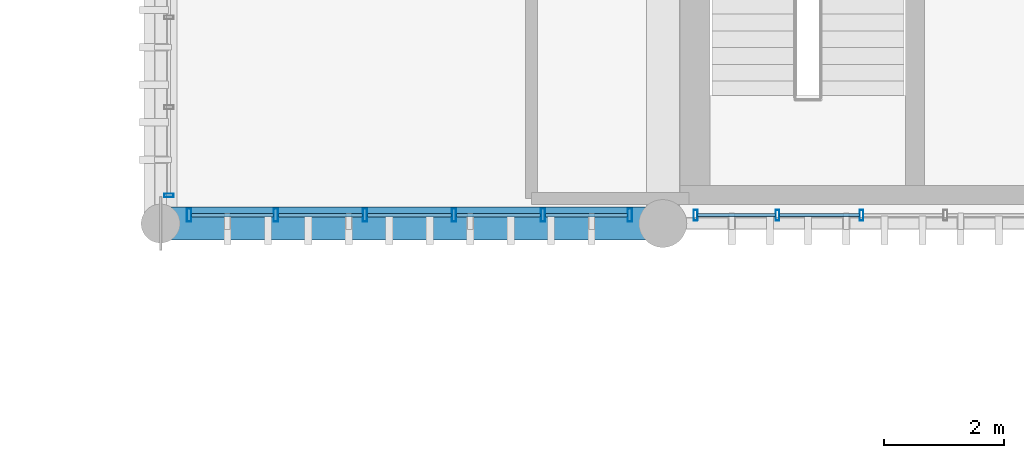
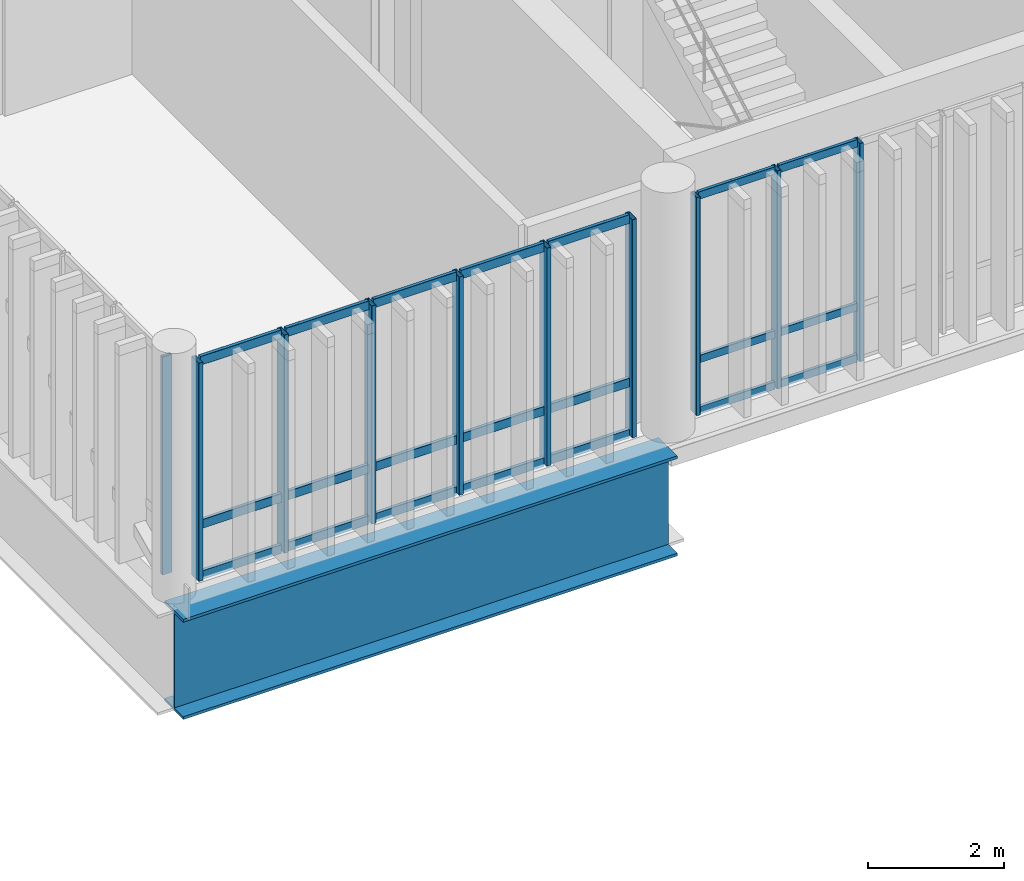
# One storey, part 23 of 53: 31 members, 1 beam, 3 elements without a shape of their own.
"""IFC4 building model written with IfcOpenShell, lengths in metres."""

import ifcopenshell
import ifcopenshell.guid

model = None  # the IFC model being written
_history = None  # IfcOwnerHistory: only IFC2X3 demands one
_inside = {}  # id of a spatial element -> (the spatial element, [elements in it])
_under = {}  # id of a project, library or spatial element -> (it, [spatial elements below it])
_declared = {}  # id of a project -> (the project, [libraries it declares])
_typed = {}  # id of a type object -> (the type object, [elements of that type])
_made_of = {}  # id of a material, layer set ... -> (it, [elements and type objects made of it])


def new_model(schema):
    """Start an empty IFC model of exactly this schema.

    Asked for "IFC4X3", IfcOpenShell would pick the latest addendum, in which some entities
    have other attributes; the version numbers below select the first issue.
    IFC2X3 requires an IfcOwnerHistory on every rooted entity: one is made here for all.
    """
    global model, _history
    if schema == "IFC4X3":
        model = ifcopenshell.file(schema_version=(4, 3, 0, 0))
    else:
        model = ifcopenshell.file(schema=schema)
    _inside.clear()
    _under.clear()
    _declared.clear()
    _typed.clear()
    _made_of.clear()
    _history = None
    if model.schema == "IFC2X3":
        org = make("IfcOrganization", Name="unknown")
        user = make(
            "IfcPersonAndOrganization",
            ThePerson=make("IfcPerson", FamilyName="unknown"),
            TheOrganization=org,
        )
        app = make(
            "IfcApplication",
            ApplicationDeveloper=org,
            Version="unknown",
            ApplicationFullName="unknown",
            ApplicationIdentifier="unknown",
        )
        _history = make(
            "IfcOwnerHistory",
            OwningUser=user,
            OwningApplication=app,
            ChangeAction="ADDED",
            CreationDate=0,
        )
    return model


def make(cls, **values):
    """One entity of the class cls with the attributes given. An attribute that is None is left unset."""
    return model.create_entity(
        cls, **{name: value for name, value in values.items() if value is not None}
    )


def rooted(cls, **values):
    """An entity with a GlobalId (a new one), such as an element, a storey or a relation."""
    return make(cls, GlobalId=ifcopenshell.guid.new(), OwnerHistory=_history, **values)


def si_unit(unit_type, name, prefix=None):
    """IfcSIUnit, for example si_unit("LENGTHUNIT", "METRE", prefix="MILLI")."""
    return make("IfcSIUnit", UnitType=unit_type, Prefix=prefix, Name=name)


def assignment(units):
    """IfcUnitAssignment: the units of a project."""
    return None if units is None else make("IfcUnitAssignment", Units=units)


def point(xyz):
    """IfcCartesianPoint."""
    return None if xyz is None else make("IfcCartesianPoint", Coordinates=xyz)


def direction(xyz):
    """IfcDirection."""
    return None if xyz is None else make("IfcDirection", DirectionRatios=xyz)


def frame(location, z_axis=None, x_axis=None):
    """IfcAxis2Placement3D, a coordinate frame: its origin and axes. An axis left out is left unset."""
    return make(
        "IfcAxis2Placement3D",
        Location=point(location),
        Axis=direction(z_axis),
        RefDirection=direction(x_axis),
    )


def frame_2d(location, x_axis=None):
    """IfcAxis2Placement2D, a coordinate frame in the plane: its origin and x axis."""
    return make(
        "IfcAxis2Placement2D", Location=point(location), RefDirection=direction(x_axis)
    )


def origin_with_axes():
    """The frame at (0, 0, 0) with the z axis (0, 0, 1) and the x axis (1, 0, 0) written out."""
    return frame((0.0, 0.0, 0.0), z_axis=(0.0, 0.0, 1.0), x_axis=(1.0, 0.0, 0.0))


def origin_2d_with_axis():
    """The frame at (0, 0) in the plane with the x axis (1, 0) written out."""
    return frame_2d((0.0, 0.0), x_axis=(1.0, 0.0))


def place(relative_to, where):
    """IfcLocalPlacement: puts the frame where relative to a parent placement (None: the world)."""
    return make(
        "IfcLocalPlacement", PlacementRelTo=relative_to, RelativePlacement=where
    )


def context(
    kind, dimensions, precision=None, world=None, true_north=None, identifier=None
):
    """IfcGeometricRepresentationContext, for example the 3D "Model" context."""
    return make(
        "IfcGeometricRepresentationContext",
        ContextIdentifier=identifier,
        ContextType=kind,
        CoordinateSpaceDimension=dimensions,
        Precision=precision,
        WorldCoordinateSystem=world,
        TrueNorth=true_north,
    )


def subcontext(parent, identifier, kind, view, scale=None):
    """IfcGeometricRepresentationSubContext, for example "Body" below "Model"."""
    return make(
        "IfcGeometricRepresentationSubContext",
        ContextIdentifier=identifier,
        ContextType=kind,
        ParentContext=parent,
        TargetScale=scale,
        TargetView=view,
    )


def project(units=None, contexts=None):
    """IfcProject with its units and contexts."""
    return rooted(
        "IfcProject",
        Name="project",
        RepresentationContexts=contexts,
        UnitsInContext=assignment(units),
    )


def spatial(cls, under=None, at=None, **own):
    """A site, building, storey or space (cls), placed at a placement, below another one or the project."""
    s = rooted(cls, ObjectPlacement=at, **own)
    if under is not None:
        _under.setdefault(under.id(), (under, []))[1].append(s)
    return s


def profile(cls, at=None, kind="AREA", **sizes):
    """A parametric profile (cls). Its sizes go by their IFC names, for example OverallWidth=200.0."""
    return make(cls, ProfileType=kind, Position=at, **sizes)


def hollow_rectangle(**sizes):
    """IfcRectangleHollowProfileDef."""
    return profile("IfcRectangleHollowProfileDef", **sizes)


def i_section(**sizes):
    """IfcIShapeProfileDef."""
    return profile("IfcIShapeProfileDef", **sizes)


def extrude(swept, where, along, depth):
    """IfcExtrudedAreaSolid: the profile swept, set in the frame where, extruded along a direction by depth."""
    return make(
        "IfcExtrudedAreaSolid",
        SweptArea=swept,
        Position=where,
        ExtrudedDirection=direction(along),
        Depth=depth,
    )


def shape(context_of_items, identifier, shape_type, items):
    """IfcShapeRepresentation: the items that make up one representation, for example the "Body"."""
    return make(
        "IfcShapeRepresentation",
        ContextOfItems=context_of_items,
        RepresentationIdentifier=identifier,
        RepresentationType=shape_type,
        Items=items,
    )


def material(Name=None, Category=None):
    """IfcMaterial."""
    return make("IfcMaterial", Name=Name, Category=Category)


def material_profile(
    of_material, cross_section, Name=None, Category=None, Priority=None
):
    """IfcMaterialProfile: a cross section and its material."""
    return make(
        "IfcMaterialProfile",
        Name=Name,
        Material=of_material,
        Profile=cross_section,
        Priority=Priority,
        Category=Category,
    )


def profile_set(profiles, Name=None, composite=None):
    """IfcMaterialProfileSet."""
    return make(
        "IfcMaterialProfileSet",
        Name=Name,
        MaterialProfiles=profiles,
        CompositeProfile=composite,
    )


def made_of(thing, what):
    """Note that an element or type object is made of a material, layer set ...; save() writes the relation."""
    if what is not None:
        _made_of.setdefault(what.id(), (what, []))[1].append(thing)
    return thing


def type_object(cls, material=None, **own):
    """A type object (cls), such as IfcWallType, which elements share."""
    return made_of(rooted(cls, **own), material)


def element(
    cls,
    number,
    at=None,
    inside=None,
    cuts=None,
    type_object=None,
    material=None,
    context=None,
    identifier="Body",
    shape_type=None,
    held_by="IfcProductDefinitionShape",
    body=None,
    shapes=None,
    **own,
):
    """One element of the class cls, such as IfcWall. Its Tag is "e" and its number.

    at: its placement. inside: the storey or other place that contains it. cuts: it is an
    opening in that element (IfcRelVoidsElement). A single representation is given by context,
    identifier, shape_type and body (its items); several are given by shapes. held_by: the class
    of the entity that holds the representations. save() writes the other relations.
    """
    e = rooted(cls, Tag="e%d" % number, ObjectPlacement=at, **own)
    if body is not None:
        shapes = [shape(context, identifier, shape_type, body)]
    if shapes is not None:
        e.Representation = make(held_by, Representations=shapes)
    if inside is not None:
        _inside.setdefault(inside.id(), (inside, []))[1].append(e)
    if cuts is not None:
        rooted(
            "IfcRelVoidsElement", RelatingBuildingElement=cuts, RelatedOpeningElement=e
        )
    if type_object is not None:
        _typed.setdefault(type_object.id(), (type_object, []))[1].append(e)
    return made_of(e, material)


def aggregate(whole, parts):
    """IfcRelAggregates: a whole, such as a stair, and the parts it consists of."""
    return rooted("IfcRelAggregates", RelatingObject=whole, RelatedObjects=parts)


def save(model, path):
    """Write the relations noted so far, then the file.

    IfcRelAggregates (storeys below a building ...), IfcRelContainedInSpatialStructure (elements
    in a storey), IfcRelDefinesByType, IfcRelAssociatesMaterial and IfcRelDeclares: one each for
    every whole, place, type object, material and project.
    """
    for whole, parts in _under.values():
        aggregate(whole, parts)
    for where, things in _inside.values():
        rooted(
            "IfcRelContainedInSpatialStructure",
            RelatedElements=things,
            RelatingStructure=where,
        )
    for kind, things in _typed.values():
        rooted("IfcRelDefinesByType", RelatedObjects=things, RelatingType=kind)
    for what, things in _made_of.values():
        rooted("IfcRelAssociatesMaterial", RelatedObjects=things, RelatingMaterial=what)
    for by, libraries in _declared.values():
        rooted("IfcRelDeclares", RelatingContext=by, RelatedDefinitions=libraries)
    model.write(path)


model = new_model("IFC4")

# Units and contexts
model_context = context("Model", 3, precision=1e-05, world=origin_with_axes(), true_north=direction((0.0, 1.0)))
body_context = subcontext(model_context, "Body", "Model", "MODEL_VIEW")
ifc_project = project(units=[si_unit("LENGTHUNIT", "METRE"), si_unit("AREAUNIT", "SQUARE_METRE"), si_unit("VOLUMEUNIT", "CUBIC_METRE"), si_unit("PLANEANGLEUNIT", "RADIAN"), si_unit("MASSUNIT", "GRAM", prefix="KILO"), si_unit("THERMODYNAMICTEMPERATUREUNIT", "KELVIN")], contexts=[model_context])

# Site, building, storey
site_placement = place(None, origin_with_axes())
site = spatial("IfcSite", under=ifc_project, at=site_placement, CompositionType="ELEMENT")
building_placement = place(site_placement, origin_with_axes())
building = spatial("IfcBuilding", under=site, at=building_placement, Name="Montbau Bow Law Courts", CompositionType="ELEMENT")
storey_placement = place(building_placement, frame((0.0, 0.0, 39.0), z_axis=(0.0, 0.0, 1.0), x_axis=(1.0, 0.0, 0.0)))
storey = spatial("IfcBuildingStorey", under=building, at=storey_placement, Name="L08", CompositionType="ELEMENT", Elevation=39.0)

# Beam
ifc_material_1 = material(Name="Steel CSA G40.21 Grade 350WT (350 MPa)", Category="steel")
ifc_material_profile_1 = material_profile(ifc_material_1, i_section(OverallWidth=0.55, OverallDepth=1.8, WebThickness=0.022, FlangeThickness=0.05, at=origin_2d_with_axis()), Name="WWF1800X550", Category="Main", Priority=0)
ifc_profile_set_1 = profile_set([ifc_material_profile_1], Name="Steel CSA G40.21 Grade 350WT (350 MPa)")
beam_type = type_object("IfcBeamType", Name="B-TRG-01", PredefinedType="USERDEFINED", material=ifc_profile_set_1)
beam_placement = place(None, frame((138.6, 86.4, 37.76), z_axis=(1.0, 0.0, 0.0), x_axis=(0.0, 1.0, 0.0)))
element("IfcBeam", 1, at=beam_placement, inside=storey, type_object=beam_type, Name="TRG-L08-S0110:bm2_0113", ObjectType="GIRDER", PredefinedType="USERDEFINED", context=body_context, shape_type="SweptSolid", body=[
    extrude(i_section(OverallWidth=0.55, OverallDepth=1.8, WebThickness=0.022, FlangeThickness=0.05, at=origin_2d_with_axis()), origin_with_axes(), (0.0, 0.0, 1.0), 8.4),
])

# Curtain wall, members
ifc_material_2 = material(Name="Thermally Broken Extruded Aluminium AA 6063-T6", Category="aluminium")
curtain_wall_type = type_object("IfcCurtainWallType", Name="CW-CRM-03", PredefinedType="NOTDEFINED", material=ifc_material_2)
curtain_wall_1_placement = place(None, frame((139.04, 86.54, 39.0), z_axis=(0.0, 0.0, 1.0), x_axis=(1.0, 0.0, 0.0)))
curtain_wall_1 = element("IfcCurtainWall", 2, at=curtain_wall_1_placement, inside=storey, type_object=curtain_wall_type, Name="CW-L08-372:cw_0372", PredefinedType="NOTDEFINED")
ifc_material_profile_2 = material_profile(ifc_material_2, hollow_rectangle(XDim=0.075, YDim=0.22, WallThickness=0.005, InnerFilletRadius=0.01, OuterFilletRadius=0.005, at=origin_2d_with_axis()), Name="CWM-220X75", Category="Main", Priority=0)
ifc_profile_set_2 = profile_set([ifc_material_profile_2], Name="Thermally Broken Extruded Aluminium AA 6063-T6")
member_type_1 = type_object("IfcMemberType", Name="M-MUL-01", PredefinedType="MULLION", material=ifc_profile_set_2)
member_1_placement = place(None, frame((139.077, 86.54, 39.0), z_axis=(0.0, 0.0, 1.0), x_axis=(1.0, 0.0, 0.0)))
member_1 = element("IfcMember", 3, at=member_1_placement, type_object=member_type_1, Name="CW-L08-372-M01:cw_0372_M01", PredefinedType="MULLION", context=body_context, shape_type="SweptSolid", body=[
    extrude(hollow_rectangle(XDim=0.075, YDim=0.22, WallThickness=0.005, InnerFilletRadius=0.01, OuterFilletRadius=0.005, at=origin_2d_with_axis()), origin_with_axes(), (0.0, 0.0, 1.0), 3.92),
])
member_2_placement = place(None, frame((140.529, 86.54, 39.0), z_axis=(0.0, 0.0, 1.0), x_axis=(1.0, 0.0, 0.0)))
member_2 = element("IfcMember", 4, at=member_2_placement, type_object=member_type_1, Name="CW-L08-372-M02:cw_0372_M02", PredefinedType="MULLION", context=body_context, shape_type="SweptSolid", body=[
    extrude(hollow_rectangle(XDim=0.075, YDim=0.22, WallThickness=0.005, InnerFilletRadius=0.01, OuterFilletRadius=0.005, at=origin_2d_with_axis()), origin_with_axes(), (0.0, 0.0, 1.0), 3.92),
])
member_3_placement = place(None, frame((142.018, 86.54, 39.0), z_axis=(0.0, 0.0, 1.0), x_axis=(1.0, 0.0, 0.0)))
member_3 = element("IfcMember", 5, at=member_3_placement, type_object=member_type_1, Name="CW-L08-372-M03:cw_0372_M03", PredefinedType="MULLION", context=body_context, shape_type="SweptSolid", body=[
    extrude(hollow_rectangle(XDim=0.075, YDim=0.22, WallThickness=0.005, InnerFilletRadius=0.01, OuterFilletRadius=0.005, at=origin_2d_with_axis()), origin_with_axes(), (0.0, 0.0, 1.0), 3.92),
])
member_4_placement = place(None, frame((143.507, 86.54, 39.0), z_axis=(0.0, 0.0, 1.0), x_axis=(1.0, 0.0, 0.0)))
member_4 = element("IfcMember", 6, at=member_4_placement, type_object=member_type_1, Name="CW-L08-372-M04:cw_0372_M04", PredefinedType="MULLION", context=body_context, shape_type="SweptSolid", body=[
    extrude(hollow_rectangle(XDim=0.075, YDim=0.22, WallThickness=0.005, InnerFilletRadius=0.01, OuterFilletRadius=0.005, at=origin_2d_with_axis()), origin_with_axes(), (0.0, 0.0, 1.0), 3.92),
])
member_5_placement = place(None, frame((144.996, 86.54, 39.0), z_axis=(0.0, 0.0, 1.0), x_axis=(1.0, 0.0, 0.0)))
member_5 = element("IfcMember", 7, at=member_5_placement, type_object=member_type_1, Name="CW-L08-372-M05:cw_0372_M05", PredefinedType="MULLION", context=body_context, shape_type="SweptSolid", body=[
    extrude(hollow_rectangle(XDim=0.075, YDim=0.22, WallThickness=0.005, InnerFilletRadius=0.01, OuterFilletRadius=0.005, at=origin_2d_with_axis()), origin_with_axes(), (0.0, 0.0, 1.0), 3.92),
])
member_6_placement = place(None, frame((146.448, 86.54, 39.0), z_axis=(0.0, 0.0, 1.0), x_axis=(1.0, 0.0, 0.0)))
member_6 = element("IfcMember", 8, at=member_6_placement, type_object=member_type_1, Name="CW-L08-372-M06:cw_0372_M06", PredefinedType="MULLION", context=body_context, shape_type="SweptSolid", body=[
    extrude(hollow_rectangle(XDim=0.075, YDim=0.22, WallThickness=0.005, InnerFilletRadius=0.01, OuterFilletRadius=0.005, at=origin_2d_with_axis()), origin_with_axes(), (0.0, 0.0, 1.0), 3.92),
])

curtain_wall_2_placement = place(None, frame((147.515, 86.54, 39.0), z_axis=(0.0, 0.0, 1.0), x_axis=(1.0, 0.0, 0.0)))
curtain_wall_2 = element("IfcCurtainWall", 9, at=curtain_wall_2_placement, inside=storey, type_object=curtain_wall_type, Name="CW-L08-373:cw_0373", PredefinedType="NOTDEFINED")
ifc_material_profile_3 = material_profile(ifc_material_2, hollow_rectangle(XDim=0.065, YDim=0.18, WallThickness=0.005, InnerFilletRadius=0.01, OuterFilletRadius=0.005, at=origin_2d_with_axis()), Name="CWM-180X65", Category="Main", Priority=0)
ifc_profile_set_3 = profile_set([ifc_material_profile_3], Name="Thermally Broken Extruded Aluminium AA 6063-T6")
member_type_2 = type_object("IfcMemberType", Name="M-MUL-02", PredefinedType="MULLION", material=ifc_profile_set_3)
member_7_placement = place(None, frame((147.548, 86.54, 39.0), z_axis=(0.0, 0.0, 1.0), x_axis=(1.0, 0.0, 0.0)))
member_7 = element("IfcMember", 10, at=member_7_placement, type_object=member_type_2, Name="CW-L08-373-M01:cw_0373_M01", PredefinedType="MULLION", context=body_context, shape_type="SweptSolid", body=[
    extrude(hollow_rectangle(XDim=0.065, YDim=0.18, WallThickness=0.005, InnerFilletRadius=0.01, OuterFilletRadius=0.005, at=origin_2d_with_axis()), origin_with_axes(), (0.0, 0.0, 1.0), 3.92),
])
member_8_placement = place(None, frame((148.918, 86.54, 39.0), z_axis=(0.0, 0.0, 1.0), x_axis=(1.0, 0.0, 0.0)))
member_8 = element("IfcMember", 11, at=member_8_placement, type_object=member_type_2, Name="CW-L08-373-M02:cw_0373_M02", PredefinedType="MULLION", context=body_context, shape_type="SweptSolid", body=[
    extrude(hollow_rectangle(XDim=0.065, YDim=0.18, WallThickness=0.005, InnerFilletRadius=0.01, OuterFilletRadius=0.005, at=origin_2d_with_axis()), origin_with_axes(), (0.0, 0.0, 1.0), 3.92),
])
member_9_placement = place(None, frame((150.322, 86.54, 39.0), z_axis=(0.0, 0.0, 1.0), x_axis=(1.0, 0.0, 0.0)))
member_9 = element("IfcMember", 12, at=member_9_placement, type_object=member_type_2, Name="CW-L08-373-M03:cw_0373_M03", PredefinedType="MULLION", context=body_context, shape_type="SweptSolid", body=[
    extrude(hollow_rectangle(XDim=0.065, YDim=0.18, WallThickness=0.005, InnerFilletRadius=0.01, OuterFilletRadius=0.005, at=origin_2d_with_axis()), origin_with_axes(), (0.0, 0.0, 1.0), 3.92),
])

# Curtain wall, member
curtain_wall_3_placement = place(None, frame((138.74, 86.84, 39.0), z_axis=(0.0, 0.0, 1.0), x_axis=(1.0, 0.0, 0.0)))
curtain_wall_3 = element("IfcCurtainWall", 13, at=curtain_wall_3_placement, inside=storey, type_object=curtain_wall_type, Name="CW-L08-380:cw_0380", PredefinedType="NOTDEFINED")
ifc_material_profile_4 = material_profile(ifc_material_2, hollow_rectangle(XDim=0.06, YDim=0.16, WallThickness=0.004, InnerFilletRadius=0.008, OuterFilletRadius=0.004, at=origin_2d_with_axis()), Name="CWM-160X60", Category="Main", Priority=0)
ifc_profile_set_4 = profile_set([ifc_material_profile_4], Name="Thermally Broken Extruded Aluminium AA 6063-T6")
member_type_3 = type_object("IfcMemberType", Name="M-MUL-03", PredefinedType="MULLION", material=ifc_profile_set_4)
member_10_placement = place(None, frame((138.74, 86.87, 39.0), z_axis=(0.0, 0.0, 1.0), x_axis=(0.0, 1.0, 0.0)))
member_10 = element("IfcMember", 14, at=member_10_placement, type_object=member_type_3, Name="CW-L08-380-M01:cw_0380_M01", PredefinedType="MULLION", context=body_context, shape_type="SweptSolid", body=[
    extrude(hollow_rectangle(XDim=0.06, YDim=0.16, WallThickness=0.004, InnerFilletRadius=0.008, OuterFilletRadius=0.004, at=origin_2d_with_axis()), origin_with_axes(), (0.0, 0.0, 1.0), 3.92),
])
aggregate(curtain_wall_3, [member_10])

# Member
ifc_material_profile_5 = material_profile(ifc_material_2, hollow_rectangle(XDim=0.06, YDim=0.16, WallThickness=0.004, InnerFilletRadius=0.008, OuterFilletRadius=0.004, at=origin_2d_with_axis()), Name="CWT-160X60", Category="Main", Priority=0)
ifc_profile_set_5 = profile_set([ifc_material_profile_5], Name="Thermally Broken Extruded Aluminium AA 6063-T6")
member_type_4 = type_object("IfcMemberType", Name="M-TRN-01", PredefinedType="USERDEFINED", material=ifc_profile_set_5)
member_11_placement = place(None, frame((139.116, 86.54, 39.03), z_axis=(1.0, 0.0, 0.0), x_axis=(0.0, 1.0, 0.0)))
member_11 = element("IfcMember", 15, at=member_11_placement, type_object=member_type_4, Name="CW-L08-372-T01-1:cw_0372_T01_1", ObjectType="TRANSOM", PredefinedType="USERDEFINED", context=body_context, shape_type="SweptSolid", body=[
    extrude(hollow_rectangle(XDim=0.06, YDim=0.16, WallThickness=0.004, InnerFilletRadius=0.008, OuterFilletRadius=0.004, at=origin_2d_with_axis()), origin_with_axes(), (0.0, 0.0, 1.0), 1.374),
])

member_12_placement = place(None, frame((139.116, 86.54, 39.95), z_axis=(1.0, 0.0, 0.0), x_axis=(0.0, 1.0, 0.0)))
member_12 = element("IfcMember", 16, at=member_12_placement, type_object=member_type_4, Name="CW-L08-372-T01-2:cw_0372_T01_2", ObjectType="TRANSOM", PredefinedType="USERDEFINED", context=body_context, shape_type="SweptSolid", body=[
    extrude(hollow_rectangle(XDim=0.06, YDim=0.16, WallThickness=0.004, InnerFilletRadius=0.008, OuterFilletRadius=0.004, at=origin_2d_with_axis()), origin_with_axes(), (0.0, 0.0, 1.0), 1.374),
])

member_13_placement = place(None, frame((139.116, 86.54, 42.89), z_axis=(1.0, 0.0, 0.0), x_axis=(0.0, 1.0, 0.0)))
member_13 = element("IfcMember", 17, at=member_13_placement, type_object=member_type_4, Name="CW-L08-372-T01-3:cw_0372_T01_3", ObjectType="TRANSOM", PredefinedType="USERDEFINED", context=body_context, shape_type="SweptSolid", body=[
    extrude(hollow_rectangle(XDim=0.06, YDim=0.16, WallThickness=0.004, InnerFilletRadius=0.008, OuterFilletRadius=0.004, at=origin_2d_with_axis()), origin_with_axes(), (0.0, 0.0, 1.0), 1.374),
])

member_14_placement = place(None, frame((140.569, 86.54, 39.03), z_axis=(1.0, 0.0, 0.0), x_axis=(0.0, 1.0, 0.0)))
member_14 = element("IfcMember", 18, at=member_14_placement, type_object=member_type_4, Name="CW-L08-372-T02-1:cw_0372_T02_1", ObjectType="TRANSOM", PredefinedType="USERDEFINED", context=body_context, shape_type="SweptSolid", body=[
    extrude(hollow_rectangle(XDim=0.06, YDim=0.16, WallThickness=0.004, InnerFilletRadius=0.008, OuterFilletRadius=0.004, at=origin_2d_with_axis()), origin_with_axes(), (0.0, 0.0, 1.0), 1.41),
])

member_15_placement = place(None, frame((140.569, 86.54, 39.95), z_axis=(1.0, 0.0, 0.0), x_axis=(0.0, 1.0, 0.0)))
member_15 = element("IfcMember", 19, at=member_15_placement, type_object=member_type_4, Name="CW-L08-372-T02-2:cw_0372_T02_2", ObjectType="TRANSOM", PredefinedType="USERDEFINED", context=body_context, shape_type="SweptSolid", body=[
    extrude(hollow_rectangle(XDim=0.06, YDim=0.16, WallThickness=0.004, InnerFilletRadius=0.008, OuterFilletRadius=0.004, at=origin_2d_with_axis()), origin_with_axes(), (0.0, 0.0, 1.0), 1.41),
])

member_16_placement = place(None, frame((140.569, 86.54, 42.89), z_axis=(1.0, 0.0, 0.0), x_axis=(0.0, 1.0, 0.0)))
member_16 = element("IfcMember", 20, at=member_16_placement, type_object=member_type_4, Name="CW-L08-372-T02-3:cw_0372_T02_3", ObjectType="TRANSOM", PredefinedType="USERDEFINED", context=body_context, shape_type="SweptSolid", body=[
    extrude(hollow_rectangle(XDim=0.06, YDim=0.16, WallThickness=0.004, InnerFilletRadius=0.008, OuterFilletRadius=0.004, at=origin_2d_with_axis()), origin_with_axes(), (0.0, 0.0, 1.0), 1.41),
])

member_17_placement = place(None, frame((142.058, 86.54, 39.03), z_axis=(1.0, 0.0, 0.0), x_axis=(0.0, 1.0, 0.0)))
member_17 = element("IfcMember", 21, at=member_17_placement, type_object=member_type_4, Name="CW-L08-372-T03-1:cw_0372_T03_1", ObjectType="TRANSOM", PredefinedType="USERDEFINED", context=body_context, shape_type="SweptSolid", body=[
    extrude(hollow_rectangle(XDim=0.06, YDim=0.16, WallThickness=0.004, InnerFilletRadius=0.008, OuterFilletRadius=0.004, at=origin_2d_with_axis()), origin_with_axes(), (0.0, 0.0, 1.0), 1.41),
])

member_18_placement = place(None, frame((142.058, 86.54, 39.95), z_axis=(1.0, 0.0, 0.0), x_axis=(0.0, 1.0, 0.0)))
member_18 = element("IfcMember", 22, at=member_18_placement, type_object=member_type_4, Name="CW-L08-372-T03-2:cw_0372_T03_2", ObjectType="TRANSOM", PredefinedType="USERDEFINED", context=body_context, shape_type="SweptSolid", body=[
    extrude(hollow_rectangle(XDim=0.06, YDim=0.16, WallThickness=0.004, InnerFilletRadius=0.008, OuterFilletRadius=0.004, at=origin_2d_with_axis()), origin_with_axes(), (0.0, 0.0, 1.0), 1.41),
])

member_19_placement = place(None, frame((142.058, 86.54, 42.89), z_axis=(1.0, 0.0, 0.0), x_axis=(0.0, 1.0, 0.0)))
member_19 = element("IfcMember", 23, at=member_19_placement, type_object=member_type_4, Name="CW-L08-372-T03-3:cw_0372_T03_3", ObjectType="TRANSOM", PredefinedType="USERDEFINED", context=body_context, shape_type="SweptSolid", body=[
    extrude(hollow_rectangle(XDim=0.06, YDim=0.16, WallThickness=0.004, InnerFilletRadius=0.008, OuterFilletRadius=0.004, at=origin_2d_with_axis()), origin_with_axes(), (0.0, 0.0, 1.0), 1.41),
])

member_20_placement = place(None, frame((143.546, 86.54, 39.03), z_axis=(1.0, 0.0, 0.0), x_axis=(0.0, 1.0, 0.0)))
member_20 = element("IfcMember", 24, at=member_20_placement, type_object=member_type_4, Name="CW-L08-372-T04-1:cw_0372_T04_1", ObjectType="TRANSOM", PredefinedType="USERDEFINED", context=body_context, shape_type="SweptSolid", body=[
    extrude(hollow_rectangle(XDim=0.06, YDim=0.16, WallThickness=0.004, InnerFilletRadius=0.008, OuterFilletRadius=0.004, at=origin_2d_with_axis()), origin_with_axes(), (0.0, 0.0, 1.0), 1.411),
])

member_21_placement = place(None, frame((143.546, 86.54, 39.95), z_axis=(1.0, 0.0, 0.0), x_axis=(0.0, 1.0, 0.0)))
member_21 = element("IfcMember", 25, at=member_21_placement, type_object=member_type_4, Name="CW-L08-372-T04-2:cw_0372_T04_2", ObjectType="TRANSOM", PredefinedType="USERDEFINED", context=body_context, shape_type="SweptSolid", body=[
    extrude(hollow_rectangle(XDim=0.06, YDim=0.16, WallThickness=0.004, InnerFilletRadius=0.008, OuterFilletRadius=0.004, at=origin_2d_with_axis()), origin_with_axes(), (0.0, 0.0, 1.0), 1.411),
])

member_22_placement = place(None, frame((143.546, 86.54, 42.89), z_axis=(1.0, 0.0, 0.0), x_axis=(0.0, 1.0, 0.0)))
member_22 = element("IfcMember", 26, at=member_22_placement, type_object=member_type_4, Name="CW-L08-372-T04-3:cw_0372_T04_3", ObjectType="TRANSOM", PredefinedType="USERDEFINED", context=body_context, shape_type="SweptSolid", body=[
    extrude(hollow_rectangle(XDim=0.06, YDim=0.16, WallThickness=0.004, InnerFilletRadius=0.008, OuterFilletRadius=0.004, at=origin_2d_with_axis()), origin_with_axes(), (0.0, 0.0, 1.0), 1.411),
])

member_23_placement = place(None, frame((145.035, 86.54, 39.03), z_axis=(1.0, 0.0, 0.0), x_axis=(0.0, 1.0, 0.0)))
member_23 = element("IfcMember", 27, at=member_23_placement, type_object=member_type_4, Name="CW-L08-372-T05-1:cw_0372_T05_1", ObjectType="TRANSOM", PredefinedType="USERDEFINED", context=body_context, shape_type="SweptSolid", body=[
    extrude(hollow_rectangle(XDim=0.06, YDim=0.16, WallThickness=0.004, InnerFilletRadius=0.008, OuterFilletRadius=0.004, at=origin_2d_with_axis()), origin_with_axes(), (0.0, 0.0, 1.0), 1.374),
])

member_24_placement = place(None, frame((145.035, 86.54, 39.95), z_axis=(1.0, 0.0, 0.0), x_axis=(0.0, 1.0, 0.0)))
member_24 = element("IfcMember", 28, at=member_24_placement, type_object=member_type_4, Name="CW-L08-372-T05-2:cw_0372_T05_2", ObjectType="TRANSOM", PredefinedType="USERDEFINED", context=body_context, shape_type="SweptSolid", body=[
    extrude(hollow_rectangle(XDim=0.06, YDim=0.16, WallThickness=0.004, InnerFilletRadius=0.008, OuterFilletRadius=0.004, at=origin_2d_with_axis()), origin_with_axes(), (0.0, 0.0, 1.0), 1.374),
])

member_25_placement = place(None, frame((145.035, 86.54, 42.89), z_axis=(1.0, 0.0, 0.0), x_axis=(0.0, 1.0, 0.0)))
member_25 = element("IfcMember", 29, at=member_25_placement, type_object=member_type_4, Name="CW-L08-372-T05-3:cw_0372_T05_3", ObjectType="TRANSOM", PredefinedType="USERDEFINED", context=body_context, shape_type="SweptSolid", body=[
    extrude(hollow_rectangle(XDim=0.06, YDim=0.16, WallThickness=0.004, InnerFilletRadius=0.008, OuterFilletRadius=0.004, at=origin_2d_with_axis()), origin_with_axes(), (0.0, 0.0, 1.0), 1.374),
])

aggregate(curtain_wall_1, [member_1, member_2, member_3, member_4, member_5, member_6, member_11, member_12, member_13, member_14, member_15, member_16, member_17, member_18, member_19, member_20, member_21, member_22, member_23, member_24, member_25])

ifc_material_profile_6 = material_profile(ifc_material_2, hollow_rectangle(XDim=0.055, YDim=0.14, WallThickness=0.004, InnerFilletRadius=0.008, OuterFilletRadius=0.004, at=origin_2d_with_axis()), Name="CWT-140X55", Category="Main", Priority=0)
ifc_profile_set_6 = profile_set([ifc_material_profile_6], Name="Thermally Broken Extruded Aluminium AA 6063-T6")
member_type_5 = type_object("IfcMemberType", Name="M-TRN-02", PredefinedType="USERDEFINED", material=ifc_profile_set_6)
member_26_placement = place(None, frame((147.583, 86.54, 39.028), z_axis=(1.0, 0.0, 0.0), x_axis=(0.0, 1.0, 0.0)))
member_26 = element("IfcMember", 30, at=member_26_placement, type_object=member_type_5, Name="CW-L08-373-T01-1:cw_0373_T01_1", ObjectType="TRANSOM", PredefinedType="USERDEFINED", context=body_context, shape_type="SweptSolid", body=[
    extrude(hollow_rectangle(XDim=0.055, YDim=0.14, WallThickness=0.004, InnerFilletRadius=0.008, OuterFilletRadius=0.004, at=origin_2d_with_axis()), origin_with_axes(), (0.0, 0.0, 1.0), 1.301),
])

member_27_placement = place(None, frame((147.583, 86.54, 39.95), z_axis=(1.0, 0.0, 0.0), x_axis=(0.0, 1.0, 0.0)))
member_27 = element("IfcMember", 31, at=member_27_placement, type_object=member_type_5, Name="CW-L08-373-T01-2:cw_0373_T01_2", ObjectType="TRANSOM", PredefinedType="USERDEFINED", context=body_context, shape_type="SweptSolid", body=[
    extrude(hollow_rectangle(XDim=0.055, YDim=0.14, WallThickness=0.004, InnerFilletRadius=0.008, OuterFilletRadius=0.004, at=origin_2d_with_axis()), origin_with_axes(), (0.0, 0.0, 1.0), 1.301),
])

member_28_placement = place(None, frame((147.583, 86.54, 42.892), z_axis=(1.0, 0.0, 0.0), x_axis=(0.0, 1.0, 0.0)))
member_28 = element("IfcMember", 32, at=member_28_placement, type_object=member_type_5, Name="CW-L08-373-T01-3:cw_0373_T01_3", ObjectType="TRANSOM", PredefinedType="USERDEFINED", context=body_context, shape_type="SweptSolid", body=[
    extrude(hollow_rectangle(XDim=0.055, YDim=0.14, WallThickness=0.004, InnerFilletRadius=0.008, OuterFilletRadius=0.004, at=origin_2d_with_axis()), origin_with_axes(), (0.0, 0.0, 1.0), 1.301),
])

member_29_placement = place(None, frame((148.953, 86.54, 39.028), z_axis=(1.0, 0.0, 0.0), x_axis=(0.0, 1.0, 0.0)))
member_29 = element("IfcMember", 33, at=member_29_placement, type_object=member_type_5, Name="CW-L08-373-T02-1:cw_0373_T02_1", ObjectType="TRANSOM", PredefinedType="USERDEFINED", context=body_context, shape_type="SweptSolid", body=[
    extrude(hollow_rectangle(XDim=0.055, YDim=0.14, WallThickness=0.004, InnerFilletRadius=0.008, OuterFilletRadius=0.004, at=origin_2d_with_axis()), origin_with_axes(), (0.0, 0.0, 1.0), 1.334),
])

member_30_placement = place(None, frame((148.953, 86.54, 39.95), z_axis=(1.0, 0.0, 0.0), x_axis=(0.0, 1.0, 0.0)))
member_30 = element("IfcMember", 34, at=member_30_placement, type_object=member_type_5, Name="CW-L08-373-T02-2:cw_0373_T02_2", ObjectType="TRANSOM", PredefinedType="USERDEFINED", context=body_context, shape_type="SweptSolid", body=[
    extrude(hollow_rectangle(XDim=0.055, YDim=0.14, WallThickness=0.004, InnerFilletRadius=0.008, OuterFilletRadius=0.004, at=origin_2d_with_axis()), origin_with_axes(), (0.0, 0.0, 1.0), 1.334),
])

member_31_placement = place(None, frame((148.953, 86.54, 42.892), z_axis=(1.0, 0.0, 0.0), x_axis=(0.0, 1.0, 0.0)))
member_31 = element("IfcMember", 35, at=member_31_placement, type_object=member_type_5, Name="CW-L08-373-T02-3:cw_0373_T02_3", ObjectType="TRANSOM", PredefinedType="USERDEFINED", context=body_context, shape_type="SweptSolid", body=[
    extrude(hollow_rectangle(XDim=0.055, YDim=0.14, WallThickness=0.004, InnerFilletRadius=0.008, OuterFilletRadius=0.004, at=origin_2d_with_axis()), origin_with_axes(), (0.0, 0.0, 1.0), 1.334),
])

aggregate(curtain_wall_2, [member_7, member_8, member_9, member_26, member_27, member_28, member_29, member_30, member_31])

save(model, "model.ifc")
